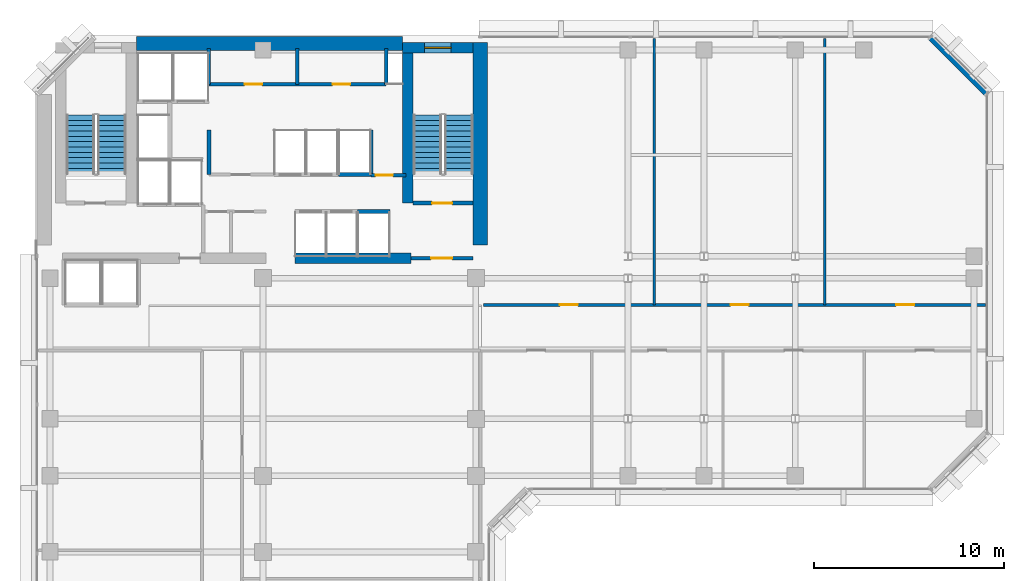
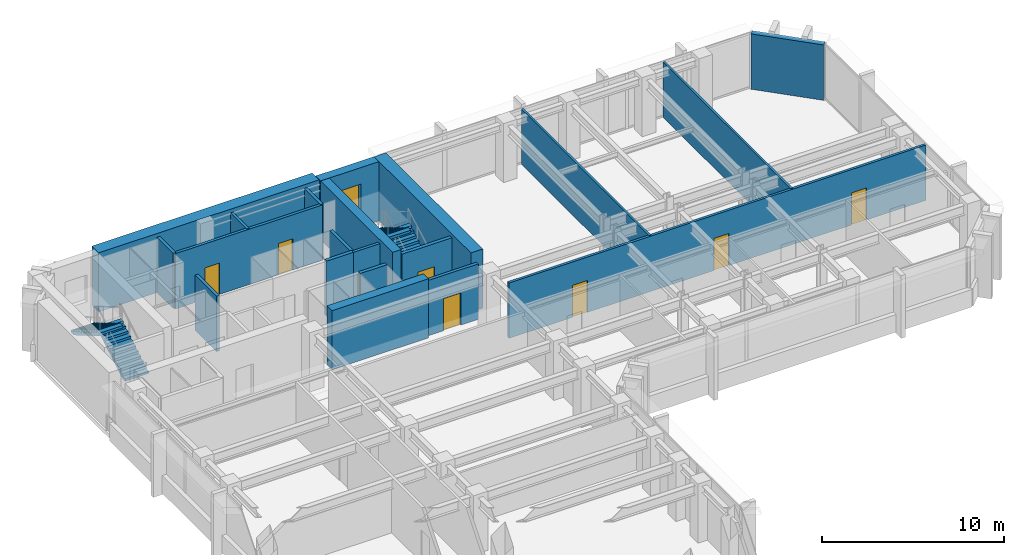
# One storey, part 8 of 11: 20 walls, 8 doors, 4 stair flights, 1 window, 9 openings, 2 elements without a shape of their own.
"""IFC4 building model written with IfcOpenShell, lengths in metres."""

import ifcopenshell
import ifcopenshell.guid

model = None  # the IFC model being written
_history = None  # IfcOwnerHistory: only IFC2X3 demands one
_inside = {}  # id of a spatial element -> (the spatial element, [elements in it])
_under = {}  # id of a project, library or spatial element -> (it, [spatial elements below it])
_declared = {}  # id of a project -> (the project, [libraries it declares])
_typed = {}  # id of a type object -> (the type object, [elements of that type])
_made_of = {}  # id of a material, layer set ... -> (it, [elements and type objects made of it])


def new_model(schema):
    """Start an empty IFC model of exactly this schema.

    Asked for "IFC4X3", IfcOpenShell would pick the latest addendum, in which some entities
    have other attributes; the version numbers below select the first issue.
    IFC2X3 requires an IfcOwnerHistory on every rooted entity: one is made here for all.
    """
    global model, _history
    if schema == "IFC4X3":
        model = ifcopenshell.file(schema_version=(4, 3, 0, 0))
    else:
        model = ifcopenshell.file(schema=schema)
    _inside.clear()
    _under.clear()
    _declared.clear()
    _typed.clear()
    _made_of.clear()
    _history = None
    if model.schema == "IFC2X3":
        org = make("IfcOrganization", Name="unknown")
        user = make(
            "IfcPersonAndOrganization",
            ThePerson=make("IfcPerson", FamilyName="unknown"),
            TheOrganization=org,
        )
        app = make(
            "IfcApplication",
            ApplicationDeveloper=org,
            Version="unknown",
            ApplicationFullName="unknown",
            ApplicationIdentifier="unknown",
        )
        _history = make(
            "IfcOwnerHistory",
            OwningUser=user,
            OwningApplication=app,
            ChangeAction="ADDED",
            CreationDate=0,
        )
    return model


def make(cls, **values):
    """One entity of the class cls with the attributes given. An attribute that is None is left unset."""
    return model.create_entity(
        cls, **{name: value for name, value in values.items() if value is not None}
    )


def rooted(cls, **values):
    """An entity with a GlobalId (a new one), such as an element, a storey or a relation."""
    return make(cls, GlobalId=ifcopenshell.guid.new(), OwnerHistory=_history, **values)


def si_unit(unit_type, name, prefix=None):
    """IfcSIUnit, for example si_unit("LENGTHUNIT", "METRE", prefix="MILLI")."""
    return make("IfcSIUnit", UnitType=unit_type, Prefix=prefix, Name=name)


def assignment(units):
    """IfcUnitAssignment: the units of a project."""
    return None if units is None else make("IfcUnitAssignment", Units=units)


def point(xyz):
    """IfcCartesianPoint."""
    return None if xyz is None else make("IfcCartesianPoint", Coordinates=xyz)


def direction(xyz):
    """IfcDirection."""
    return None if xyz is None else make("IfcDirection", DirectionRatios=xyz)


def frame(location, z_axis=None, x_axis=None):
    """IfcAxis2Placement3D, a coordinate frame: its origin and axes. An axis left out is left unset."""
    return make(
        "IfcAxis2Placement3D",
        Location=point(location),
        Axis=direction(z_axis),
        RefDirection=direction(x_axis),
    )


def frame_2d(location, x_axis=None):
    """IfcAxis2Placement2D, a coordinate frame in the plane: its origin and x axis."""
    return make(
        "IfcAxis2Placement2D", Location=point(location), RefDirection=direction(x_axis)
    )


def origin():
    """The frame at (0, 0, 0) with its axes left unset."""
    return frame((0.0, 0.0, 0.0))


def place(relative_to, where):
    """IfcLocalPlacement: puts the frame where relative to a parent placement (None: the world)."""
    return make(
        "IfcLocalPlacement", PlacementRelTo=relative_to, RelativePlacement=where
    )


def context(
    kind, dimensions, precision=None, world=None, true_north=None, identifier=None
):
    """IfcGeometricRepresentationContext, for example the 3D "Model" context."""
    return make(
        "IfcGeometricRepresentationContext",
        ContextIdentifier=identifier,
        ContextType=kind,
        CoordinateSpaceDimension=dimensions,
        Precision=precision,
        WorldCoordinateSystem=world,
        TrueNorth=true_north,
    )


def subcontext(parent, identifier, kind, view, scale=None):
    """IfcGeometricRepresentationSubContext, for example "Body" below "Model"."""
    return make(
        "IfcGeometricRepresentationSubContext",
        ContextIdentifier=identifier,
        ContextType=kind,
        ParentContext=parent,
        TargetScale=scale,
        TargetView=view,
    )


def project(units=None, contexts=None):
    """IfcProject with its units and contexts."""
    return rooted(
        "IfcProject",
        Name="project",
        RepresentationContexts=contexts,
        UnitsInContext=assignment(units),
    )


def spatial(cls, under=None, at=None, **own):
    """A site, building, storey or space (cls), placed at a placement, below another one or the project."""
    s = rooted(cls, ObjectPlacement=at, **own)
    if under is not None:
        _under.setdefault(under.id(), (under, []))[1].append(s)
    return s


def polyline(points):
    """IfcPolyline through the points."""
    return make("IfcPolyline", Points=[point(p) for p in points])


def profile(cls, at=None, kind="AREA", **sizes):
    """A parametric profile (cls). Its sizes go by their IFC names, for example OverallWidth=200.0."""
    return make(cls, ProfileType=kind, Position=at, **sizes)


def rectangle(**sizes):
    """IfcRectangleProfileDef."""
    return profile("IfcRectangleProfileDef", **sizes)


def outline(outer, holes=None, kind="AREA"):
    """IfcArbitraryClosedProfileDef: a profile drawn as a closed curve; with holes, ...WithVoids."""
    if holes is None:
        return make("IfcArbitraryClosedProfileDef", ProfileType=kind, OuterCurve=outer)
    return make(
        "IfcArbitraryProfileDefWithVoids",
        ProfileType=kind,
        OuterCurve=outer,
        InnerCurves=holes,
    )


def extrude(swept, where, along, depth):
    """IfcExtrudedAreaSolid: the profile swept, set in the frame where, extruded along a direction by depth."""
    return make(
        "IfcExtrudedAreaSolid",
        SweptArea=swept,
        Position=where,
        ExtrudedDirection=direction(along),
        Depth=depth,
    )


def shape(context_of_items, identifier, shape_type, items):
    """IfcShapeRepresentation: the items that make up one representation, for example the "Body"."""
    return make(
        "IfcShapeRepresentation",
        ContextOfItems=context_of_items,
        RepresentationIdentifier=identifier,
        RepresentationType=shape_type,
        Items=items,
    )


def material(Name=None, Category=None):
    """IfcMaterial."""
    return make("IfcMaterial", Name=Name, Category=Category)


def layer(
    of_material, thickness, ventilated=None, Name=None, Category=None, Priority=None
):
    """IfcMaterialLayer: one layer of a wall or slab, of a material (None: an air gap)."""
    return make(
        "IfcMaterialLayer",
        Material=of_material,
        LayerThickness=thickness,
        IsVentilated=ventilated,
        Name=Name,
        Category=Category,
        Priority=Priority,
    )


def layer_set(layers, Name=None):
    """IfcMaterialLayerSet."""
    return make("IfcMaterialLayerSet", MaterialLayers=layers, LayerSetName=Name)


def made_of(thing, what):
    """Note that an element or type object is made of a material, layer set ...; save() writes the relation."""
    if what is not None:
        _made_of.setdefault(what.id(), (what, []))[1].append(thing)
    return thing


def type_object(cls, material=None, **own):
    """A type object (cls), such as IfcWallType, which elements share."""
    return made_of(rooted(cls, **own), material)


def element(
    cls,
    number,
    at=None,
    inside=None,
    cuts=None,
    type_object=None,
    material=None,
    context=None,
    identifier="Body",
    shape_type=None,
    held_by="IfcProductDefinitionShape",
    body=None,
    shapes=None,
    **own,
):
    """One element of the class cls, such as IfcWall. Its Tag is "e" and its number.

    at: its placement. inside: the storey or other place that contains it. cuts: it is an
    opening in that element (IfcRelVoidsElement). A single representation is given by context,
    identifier, shape_type and body (its items); several are given by shapes. held_by: the class
    of the entity that holds the representations. save() writes the other relations.
    """
    e = rooted(cls, Tag="e%d" % number, ObjectPlacement=at, **own)
    if body is not None:
        shapes = [shape(context, identifier, shape_type, body)]
    if shapes is not None:
        e.Representation = make(held_by, Representations=shapes)
    if inside is not None:
        _inside.setdefault(inside.id(), (inside, []))[1].append(e)
    if cuts is not None:
        rooted(
            "IfcRelVoidsElement", RelatingBuildingElement=cuts, RelatedOpeningElement=e
        )
    if type_object is not None:
        _typed.setdefault(type_object.id(), (type_object, []))[1].append(e)
    return made_of(e, material)


def fill(opening, filler):
    """IfcRelFillsElement: the door or window that sits in an opening."""
    return rooted(
        "IfcRelFillsElement",
        RelatingOpeningElement=opening,
        RelatedBuildingElement=filler,
    )


def aggregate(whole, parts):
    """IfcRelAggregates: a whole, such as a stair, and the parts it consists of."""
    return rooted("IfcRelAggregates", RelatingObject=whole, RelatedObjects=parts)


def save(model, path):
    """Write the relations noted so far, then the file.

    IfcRelAggregates (storeys below a building ...), IfcRelContainedInSpatialStructure (elements
    in a storey), IfcRelDefinesByType, IfcRelAssociatesMaterial and IfcRelDeclares: one each for
    every whole, place, type object, material and project.
    """
    for whole, parts in _under.values():
        aggregate(whole, parts)
    for where, things in _inside.values():
        rooted(
            "IfcRelContainedInSpatialStructure",
            RelatedElements=things,
            RelatingStructure=where,
        )
    for kind, things in _typed.values():
        rooted("IfcRelDefinesByType", RelatedObjects=things, RelatingType=kind)
    for what, things in _made_of.values():
        rooted("IfcRelAssociatesMaterial", RelatedObjects=things, RelatingMaterial=what)
    for by, libraries in _declared.values():
        rooted("IfcRelDeclares", RelatingContext=by, RelatedDefinitions=libraries)
    model.write(path)


model = new_model("IFC4")

# Units and contexts
model_context = context("Model", 3, precision=1e-05, world=origin(), true_north=direction((0.0, 1.0)))
body_context = subcontext(model_context, "Body", "Model", "MODEL_VIEW")
ifc_project = project(units=[si_unit("LENGTHUNIT", "METRE"), si_unit("AREAUNIT", "SQUARE_METRE"), si_unit("VOLUMEUNIT", "CUBIC_METRE"), si_unit("PLANEANGLEUNIT", "RADIAN"), si_unit("MASSUNIT", "GRAM", prefix="KILO")], contexts=[model_context])

# Site, building, storey
site_placement = place(None, origin())
site = spatial("IfcSite", under=ifc_project, at=site_placement, CompositionType="ELEMENT")
building_placement = place(site_placement, origin())
building = spatial("IfcBuilding", under=site, at=building_placement, Name="Kefirva Bronze Tower", CompositionType="ELEMENT")
storey_placement = place(building_placement, frame((0.0, 0.0, 154.77001953125)))
storey = spatial("IfcBuildingStorey", under=building, at=storey_placement, Name="L37", CompositionType="ELEMENT", Elevation=154.77001953125)

# Walls
ifc_material_1 = material(Name="Gypsum acoustic partition")
ifc_layer_1 = layer(ifc_material_1, 0.1298828125, Name="Gypsum acoustic partition")
ifc_layer_set_1 = layer_set([ifc_layer_1], Name="Gypsum acoustic partition")
wall_type_1 = type_object("IfcWallType", Name="Acoustic Office Partition 130mm", PredefinedType="PARTITIONING", material=ifc_layer_set_1)
for number, where, z_axis, x_axis, name in (
    (1, (32.579345703125, 31.800048828125, 0.0), (0.0, 0.0, 1.0), (0.0, 1.0, 0.0), "L37 Partition W-L37-END1"),
    (2, (41.558837890625, 31.800048828125, 0.0), (0.0, 0.0, 1.0), (0.0, 1.0, 0.0), "L37 Partition W-L37-END2"),
):
    element("IfcWall", number, at=place(storey_placement, frame(where, z_axis=z_axis, x_axis=x_axis)), inside=storey, type_object=wall_type_1, Name=name, PredefinedType="PARTITIONING", context=body_context, shape_type="SweptSolid", body=[
        extrude(rectangle(XDim=14.010009765625, YDim=0.1298828125, at=frame_2d((7.0048828125, 0.0))), origin(), (0.0, 0.0, 1.0), 3.7099609375),
    ])

# Wall, opening, door
ifc_material_2 = material(Name="Gypsum fireboard shaftwall")
ifc_layer_2 = layer(ifc_material_2, 0.219970703125, Name="Gypsum fireboard shaftwall")
ifc_layer_set_2 = layer_set([ifc_layer_2], Name="Gypsum fireboard shaftwall")
wall_type_2 = type_object("IfcWallType", Name="Fire-Rated Shaft Enclosure Wall 220mm", PredefinedType="PARTITIONING", material=ifc_layer_set_2)
wall_1_placement = place(storey_placement, frame((19.89990234375, 37.14990234375, 0.0), z_axis=(0.0, 0.0, 1.0), x_axis=(1.0, 0.0, 0.0)))
wall_1 = element("IfcWall", 3, at=wall_1_placement, inside=storey, type_object=wall_type_2, Name="L37 Partition W-L37-ST2S", PredefinedType="PARTITIONING", context=body_context, shape_type="SweptSolid", body=[
    extrude(rectangle(XDim=3.150146484375, YDim=0.219970703125, at=frame_2d((1.5751953125, 0.0))), origin(), (0.0, 0.0, 1.0), 3.7099609375),
])
opening_1_placement = place(wall_1_placement, frame((2.050048828125, 0.0, 0.0), z_axis=(0.0, 0.0, 1.0), x_axis=(-1.0, 0.0, 0.0)))
opening_1 = element("IfcOpeningElement", 4, at=opening_1_placement, cuts=wall_1, Name="Opening L37-D003", PredefinedType="OPENING", context=body_context, shape_type="SweptSolid", body=[
    extrude(rectangle(XDim=1.050048828125, YDim=2.14990234375, at=frame_2d((0.52490234375, 1.074951171875))), frame((0.0, 0.1201171875, 0.0), z_axis=(0.0, -1.0, 0.0), x_axis=(1.0, 0.0, 0.0)), (0.0, 0.0, 1.0), 0.239990234375),
])
ifc_material_3 = material(Name="Painted galvanized steel", Category="steel")
door_type_1 = type_object("IfcDoorType", Name="Fire Stair Enclosure Door 1050x2150 FD90S", OperationType="NOTDEFINED", PredefinedType="DOOR", material=ifc_material_3)
door_1_placement = place(opening_1_placement, origin())
door_1 = element("IfcDoor", 5, at=door_1_placement, inside=storey, type_object=door_type_1, Name="Door L37-D003", OperationType="SINGLE_SWING_LEFT", OverallHeight=2.14990234375, OverallWidth=1.050048828125, PredefinedType="DOOR", context=body_context, shape_type="SweptSolid", body=[
    extrude(rectangle(XDim=1.050048828125, YDim=2.14990234375, at=frame_2d((0.52490234375, 1.074951171875))), frame((0.0, 0.02490234375, 0.0), z_axis=(0.0, -1.0, 0.0), x_axis=(1.0, 0.0, 0.0)), (0.0, 0.0, 1.0), 0.050048828125),
])
fill(opening_1, door_1)

# Walls
for number, where, z_axis, x_axis, name in (
    (6, (9.159912109375, 38.64990234375, 0.0), (0.0, 0.0, 1.0), (0.0, 1.0, 0.0), "L37 Partition W-L37-LP3W"),
    (7, (17.679931640625, 38.64990234375, 0.0), (0.0, 0.0, 1.0), (0.0, 1.0, 0.0), "L37 Partition W-L37-HP2E"),
):
    element("IfcWall", number, at=place(storey_placement, frame(where, z_axis=z_axis, x_axis=x_axis)), inside=storey, type_object=wall_type_2, Name=name, PredefinedType="PARTITIONING", context=body_context, shape_type="SweptSolid", body=[
        extrude(rectangle(XDim=2.35009765625, YDim=0.199951171875, at=frame_2d((1.175048828125, 0.0))), origin(), (0.0, 0.0, 1.0), 3.7099609375),
    ])
wall_2_placement = place(storey_placement, frame((16.97998046875, 36.699951171875, 0.0), z_axis=(0.0, 0.0, 1.0), x_axis=(1.0, 0.0, 0.0)))
element("IfcWall", 8, at=wall_2_placement, inside=storey, type_object=wall_type_2, Name="L37 Partition W-L37-HPS", PredefinedType="PARTITIONING", context=body_context, shape_type="SweptSolid", body=[
    extrude(rectangle(XDim=1.699951171875, YDim=0.219970703125, at=frame_2d((0.85009765625, 0.0))), origin(), (0.0, 0.0, 1.0), 3.7099609375),
])
wall_3_placement = place(storey_placement, frame((15.97998046875, 38.64990234375, 0.0), z_axis=(0.0, 0.0, 1.0), x_axis=(1.0, 0.0, 0.0)))
element("IfcWall", 9, at=wall_3_placement, inside=storey, type_object=wall_type_2, Name="L37 Partition W-L37-HPN", PredefinedType="PARTITIONING", context=body_context, shape_type="SweptSolid", body=[
    extrude(rectangle(XDim=1.719970703125, YDim=0.219970703125, at=frame_2d((0.85986328125, 0.0))), origin(), (0.0, 0.0, 1.0), 3.7099609375),
])

# Wall, opening, door
ifc_material_4 = material(Name="Gypsum fireboard barrier")
ifc_layer_3 = layer(ifc_material_4, 0.199951171875, Name="Gypsum fireboard barrier")
ifc_layer_set_3 = layer_set([ifc_layer_3], Name="Gypsum fireboard barrier")
wall_type_3 = type_object("IfcWallType", Name="Firefighting Lobby Barrier Wall 200mm", PredefinedType="PARTITIONING", material=ifc_layer_set_3)
wall_4_placement = place(storey_placement, frame((19.800048828125, 34.25, 0.0), z_axis=(0.0, 0.0, 1.0), x_axis=(1.0, 0.0, 0.0)))
wall_4 = element("IfcWall", 10, at=wall_4_placement, inside=storey, type_object=wall_type_3, Name="L37 Partition W-L37-ST2F", PredefinedType="PARTITIONING", context=body_context, shape_type="SweptSolid", body=[
    extrude(rectangle(XDim=3.25, YDim=0.199951171875, at=frame_2d((1.625, 0.0))), origin(), (0.0, 0.0, 1.0), 3.7099609375),
])
opening_2_placement = place(wall_4_placement, frame((2.150146484375, 0.0, 0.0), z_axis=(0.0, 0.0, 1.0), x_axis=(-1.0, 0.0, 0.0)))
opening_2 = element("IfcOpeningElement", 11, at=opening_2_placement, cuts=wall_4, Name="Opening L37-D004", PredefinedType="OPENING", context=body_context, shape_type="SweptSolid", body=[
    extrude(rectangle(XDim=1.10009765625, YDim=2.14990234375, at=frame_2d((0.550048828125, 1.074951171875))), frame((0.0, 0.10986328125, 0.0), z_axis=(0.0, -1.0, 0.0), x_axis=(1.0, 0.0, 0.0)), (0.0, 0.0, 1.0), 0.219970703125),
])
door_type_2 = type_object("IfcDoorType", Name="Firefighting Lobby Smoke Door 1100x2150 FD60S", OperationType="NOTDEFINED", PredefinedType="DOOR", material=ifc_material_3)
door_2_placement = place(opening_2_placement, origin())
door_2 = element("IfcDoor", 12, at=door_2_placement, inside=storey, type_object=door_type_2, Name="Door L37-D004", OperationType="SINGLE_SWING_RIGHT", OverallHeight=2.14990234375, OverallWidth=1.10009765625, PredefinedType="DOOR", context=body_context, shape_type="SweptSolid", body=[
    extrude(rectangle(XDim=1.10009765625, YDim=2.14990234375, at=frame_2d((0.550048828125, 1.074951171875))), frame((0.0, 0.02490234375, 0.0), z_axis=(0.0, -1.0, 0.0), x_axis=(1.0, 0.0, 0.0)), (0.0, 0.0, 1.0), 0.050048828125),
])
fill(opening_2, door_2)

wall_5_placement = place(storey_placement, frame((17.679931640625, 38.6201171875, 0.0), z_axis=(0.0, 0.0, 1.0), x_axis=(1.0, 0.0, 0.0)))
wall_5 = element("IfcWall", 13, at=wall_5_placement, inside=storey, type_object=wall_type_3, Name="L37 Partition W-L37-CPASS", PredefinedType="PARTITIONING", context=body_context, shape_type="SweptSolid", body=[
    extrude(rectangle(XDim=1.840087890625, YDim=0.179931640625, at=frame_2d((0.919921875, 0.0))), origin(), (0.0, 0.0, 1.0), 3.7099609375),
])
opening_3_placement = place(wall_5_placement, frame((0.239990234375, 0.0, 0.0)))
opening_3 = element("IfcOpeningElement", 14, at=opening_3_placement, cuts=wall_5, Name="Opening L37-D-CPAS", PredefinedType="OPENING", context=body_context, shape_type="SweptSolid", body=[
    extrude(rectangle(XDim=0.919921875, YDim=2.10009765625, at=frame_2d((0.4599609375, 1.050048828125))), frame((0.0, 0.10009765625, 0.0), z_axis=(0.0, -1.0, 0.0), x_axis=(1.0, 0.0, 0.0)), (0.0, 0.0, 1.0), 0.199951171875),
])
ifc_material_5 = material(Name="Moisture-resistant timber", Category="wood")
door_type_3 = type_object("IfcDoorType", Name="Accessible Sanitary & WC Door 920x2100", OperationType="NOTDEFINED", PredefinedType="DOOR", material=ifc_material_5)
door_3_placement = place(opening_3_placement, origin())
door_3 = element("IfcDoor", 15, at=door_3_placement, inside=storey, type_object=door_type_3, Name="Door L37-D-CPAS", OperationType="SINGLE_SWING_LEFT", OverallHeight=2.10009765625, OverallWidth=0.919921875, PredefinedType="DOOR", context=body_context, shape_type="SweptSolid", body=[
    extrude(rectangle(XDim=0.919921875, YDim=2.10009765625, at=frame_2d((0.4599609375, 1.050048828125))), frame((0.0, 0.02490234375, 0.0), z_axis=(0.0, -1.0, 0.0), x_axis=(1.0, 0.0, 0.0)), (0.0, 0.0, 1.0), 0.050048828125),
])
fill(opening_3, door_3)

# Wall
ifc_material_6 = material(Name="Precast concrete C40/50", Category="concrete")
ifc_layer_4 = layer(ifc_material_6, 0.320068359375, Name="Precast concrete C40/50")
ifc_layer_set_4 = layer_set([ifc_layer_4], Name="Precast concrete C40/50")
wall_type_4 = type_object("IfcWallType", Name="Precast Insulated Exterior Wall 320mm", PredefinedType="SOLIDWALL", material=ifc_layer_set_4)
wall_6_placement = place(storey_placement, frame((50.048095703125, 42.92578125, 0.0), z_axis=(0.0, 0.0, 1.0), x_axis=(-0.707136318428, 0.707077242712, 0.0)))
element("IfcWall", 16, at=wall_6_placement, inside=storey, type_object=wall_type_4, Name="L37 Exterior Facade Wall 4", PredefinedType="SOLIDWALL", context=body_context, shape_type="SweptSolid", body=[
    extrude(rectangle(XDim=4.132568359375, YDim=0.320068359375, at=frame_2d((2.06640625, 0.0))), origin(), (0.0, 0.0, 1.0), 3.7099609375),
])

# Wall, openings, doors
ifc_layer_5 = layer(ifc_material_1, 0.159912109375, Name="Gypsum acoustic partition")
ifc_layer_set_5 = layer_set([ifc_layer_5], Name="Gypsum acoustic partition")
wall_type_5 = type_object("IfcWallType", Name="Protected Corridor Partition 160mm", PredefinedType="PARTITIONING", material=ifc_layer_set_5)
wall_7_placement = place(storey_placement, frame((23.60009765625, 31.800048828125, 0.0), z_axis=(0.0, 0.0, 1.0), x_axis=(1.0, 0.0, 0.0)))
wall_7 = element("IfcWall", 17, at=wall_7_placement, inside=storey, type_object=wall_type_5, Name="L37 Partition W-L37-EWN", PredefinedType="PARTITIONING", context=body_context, shape_type="SweptSolid", body=[
    extrude(rectangle(XDim=26.409912109375, YDim=0.159912109375, at=frame_2d((13.205078125, 0.0))), origin(), (0.0, 0.0, 1.0), 3.7099609375),
])
opening_4_placement = place(wall_7_placement, frame((4.0146484375, 0.0, 0.0)))
opening_4 = element("IfcOpeningElement", 18, at=opening_4_placement, cuts=wall_7, Name="Opening L37-D-EN1", PredefinedType="OPENING", context=body_context, shape_type="SweptSolid", body=[
    extrude(rectangle(XDim=0.949951171875, YDim=2.14990234375, at=frame_2d((0.47509765625, 1.074951171875))), frame((0.0, 0.08984375, 0.0), z_axis=(0.0, -1.0, 0.0), x_axis=(1.0, 0.0, 0.0)), (0.0, 0.0, 1.0), 0.179931640625),
])
opening_5_placement = place(wall_7_placement, frame((12.994140625, 0.0, 0.0)))
opening_5 = element("IfcOpeningElement", 19, at=opening_5_placement, cuts=wall_7, Name="Opening L37-D-EN2", PredefinedType="OPENING", context=body_context, shape_type="SweptSolid", body=[
    extrude(rectangle(XDim=0.949951171875, YDim=2.14990234375, at=frame_2d((0.47509765625, 1.074951171875))), frame((0.0, 0.08984375, 0.0), z_axis=(0.0, -1.0, 0.0), x_axis=(1.0, 0.0, 0.0)), (0.0, 0.0, 1.0), 0.179931640625),
])
opening_6_placement = place(wall_7_placement, frame((21.70947265625, 0.0, 0.0)))
opening_6 = element("IfcOpeningElement", 20, at=opening_6_placement, cuts=wall_7, Name="Opening L37-D-EN3", PredefinedType="OPENING", context=body_context, shape_type="SweptSolid", body=[
    extrude(rectangle(XDim=0.949951171875, YDim=2.14990234375, at=frame_2d((0.47509765625, 1.074951171875))), frame((0.0, 0.08984375, 0.0), z_axis=(0.0, -1.0, 0.0), x_axis=(1.0, 0.0, 0.0)), (0.0, 0.0, 1.0), 0.179931640625),
])
ifc_material_7 = material(Name="Acoustic hardwood oak", Category="wood")
door_type_4 = type_object("IfcDoorType", Name="Office & Meeting Room Door 950x2150", OperationType="NOTDEFINED", PredefinedType="DOOR", material=ifc_material_7)
door_4_placement = place(opening_4_placement, origin())
door_4 = element("IfcDoor", 21, at=door_4_placement, inside=storey, type_object=door_type_4, Name="Door L37-D-EN1", OperationType="SINGLE_SWING_LEFT", OverallHeight=2.14990234375, OverallWidth=0.949951171875, PredefinedType="DOOR", context=body_context, shape_type="SweptSolid", body=[
    extrude(rectangle(XDim=0.949951171875, YDim=2.14990234375, at=frame_2d((0.47509765625, 1.074951171875))), frame((0.0, 0.02490234375, 0.0), z_axis=(0.0, -1.0, 0.0), x_axis=(1.0, 0.0, 0.0)), (0.0, 0.0, 1.0), 0.050048828125),
])
fill(opening_4, door_4)
door_5_placement = place(opening_5_placement, origin())
door_5 = element("IfcDoor", 22, at=door_5_placement, inside=storey, type_object=door_type_4, Name="Door L37-D-EN2", OperationType="SINGLE_SWING_RIGHT", OverallHeight=2.14990234375, OverallWidth=0.949951171875, PredefinedType="DOOR", context=body_context, shape_type="SweptSolid", body=[
    extrude(rectangle(XDim=0.949951171875, YDim=2.14990234375, at=frame_2d((0.47509765625, 1.074951171875))), frame((0.0, 0.02490234375, 0.0), z_axis=(0.0, -1.0, 0.0), x_axis=(1.0, 0.0, 0.0)), (0.0, 0.0, 1.0), 0.050048828125),
])
fill(opening_5, door_5)
door_6_placement = place(opening_6_placement, origin())
door_6 = element("IfcDoor", 23, at=door_6_placement, inside=storey, type_object=door_type_4, Name="Door L37-D-EN3", OperationType="SINGLE_SWING_LEFT", OverallHeight=2.14990234375, OverallWidth=0.949951171875, PredefinedType="DOOR", context=body_context, shape_type="SweptSolid", body=[
    extrude(rectangle(XDim=0.949951171875, YDim=2.14990234375, at=frame_2d((0.47509765625, 1.074951171875))), frame((0.0, 0.02490234375, 0.0), z_axis=(0.0, -1.0, 0.0), x_axis=(1.0, 0.0, 0.0)), (0.0, 0.0, 1.0), 0.050048828125),
])
fill(opening_6, door_6)

# Wall, opening, window
ifc_material_8 = material(Name="Concrete C50/60", Category="concrete")
ifc_layer_6 = layer(ifc_material_8, 0.550048828125, Name="Concrete C50/60")
ifc_layer_set_6 = layer_set([ifc_layer_6], Name="Concrete C50/60")
wall_type_6 = type_object("IfcWallType", Name="RC Rear Core Exterior Wall 550mm", PredefinedType="SHEAR", material=ifc_layer_set_6)
wall_8_placement = place(storey_placement, frame((19.35009765625, 45.320068359375, 0.0), z_axis=(0.0, 0.0, 1.0), x_axis=(1.0, 0.0, 0.0)))
wall_8 = element("IfcWall", 24, at=wall_8_placement, inside=storey, type_object=wall_type_6, Name="L37 Stair 2 North Shear Wall", PredefinedType="SHEAR", context=body_context, shape_type="SweptSolid", body=[
    extrude(rectangle(XDim=3.68994140625, YDim=0.550048828125, at=frame_2d((1.844970703125, 0.0))), origin(), (0.0, 0.0, 1.0), 3.9599609375),
])
opening_7_placement = place(wall_8_placement, frame((1.14990234375, 0.0, 1.050048828125)))
opening_7 = element("IfcOpeningElement", 25, at=opening_7_placement, cuts=wall_8, Name="Opening WN-03", PredefinedType="OPENING", context=body_context, shape_type="SweptSolid", body=[
    extrude(rectangle(XDim=1.39990234375, YDim=1.800048828125, at=frame_2d((0.699951171875, 0.89990234375))), frame((0.0, 0.28515625, 0.0), z_axis=(0.0, -1.0, 0.0), x_axis=(1.0, 0.0, 0.0)), (0.0, 0.0, 1.0), 0.570068359375),
])
ifc_material_9 = material(Name="Laminated low-E double glazing", Category="glass")
window_type = type_object("IfcWindowType", Name="Rear-Core Stair Daylight Window 1400x1800", PartitioningType="SINGLE_PANEL", PredefinedType="WINDOW", material=ifc_material_9)
window_placement = place(opening_7_placement, origin())
window = element("IfcWindow", 26, at=window_placement, inside=storey, type_object=window_type, Name="L37 Stair 2 Daylight Window", OverallHeight=1.800048828125, OverallWidth=1.39990234375, PartitioningType="SINGLE_PANEL", PredefinedType="WINDOW", context=body_context, shape_type="SweptSolid", body=[
    extrude(rectangle(XDim=1.39990234375, YDim=1.800048828125, at=frame_2d((0.699951171875, 0.89990234375))), frame((0.0, 0.030029296875, 0.0), z_axis=(0.0, -1.0, 0.0), x_axis=(1.0, 0.0, 0.0)), (0.0, 0.0, 1.0), 0.06005859375),
])
fill(opening_7, window)

# Walls
ifc_material_10 = material(Name="Concrete C60/75", Category="concrete")
ifc_layer_7 = layer(ifc_material_10, 0.75, Name="Concrete C60/75")
ifc_layer_set_7 = layer_set([ifc_layer_7], Name="Concrete C60/75")
wall_type_7 = type_object("IfcWallType", Name="RC Rear Core Exterior Wall 750mm", PredefinedType="SHEAR", material=ifc_layer_set_7)
wall_9_placement = place(storey_placement, frame((5.360107421875, 45.550048828125, 0.0), z_axis=(0.0, 0.0, 1.0), x_axis=(1.0, 0.0, 0.0)))
element("IfcWall", 27, at=wall_9_placement, inside=storey, type_object=wall_type_7, Name="L37 Rear Core North Shear Wall", PredefinedType="SHEAR", context=body_context, shape_type="SweptSolid", body=[
    extrude(rectangle(XDim=13.97998046875, YDim=0.75, at=frame_2d((6.989990234375, 0.0))), origin(), (0.0, 0.0, 1.0), 3.9599609375),
])
ifc_layer_8 = layer(ifc_material_8, 0.550048828125, Name="Concrete C50/60")
ifc_layer_set_8 = layer_set([ifc_layer_8], Name="Concrete C50/60")
wall_type_8 = type_object("IfcWallType", Name="RC Rear Core Interior Wall 550mm", PredefinedType="SHEAR", material=ifc_layer_set_8)
wall_10_placement = place(storey_placement, frame((19.6201171875, 37.14990234375, 0.0), z_axis=(0.0, 0.0, 1.0), x_axis=(0.0, 1.0, 0.0)))
element("IfcWall", 28, at=wall_10_placement, inside=storey, type_object=wall_type_8, Name="L37 Stair 2 West Shear Wall", PredefinedType="SHEAR", context=body_context, shape_type="SweptSolid", body=[
    extrude(rectangle(XDim=7.89013671875, YDim=0.550048828125, at=frame_2d((3.945068359375, 0.0))), origin(), (0.0, 0.0, 1.0), 3.9599609375),
])
ifc_layer_9 = layer(ifc_material_10, 0.75, Name="Concrete C60/75")
ifc_layer_set_9 = layer_set([ifc_layer_9], Name="Concrete C60/75")
wall_type_9 = type_object("IfcWallType", Name="RC Rear Core Interior Wall 750mm", PredefinedType="SHEAR", material=ifc_layer_set_9)
wall_11_placement = place(storey_placement, frame((23.425048828125, 34.949951171875, 0.0), z_axis=(0.0, 0.0, 1.0), x_axis=(0.0, 1.0, 0.0)))
element("IfcWall", 29, at=wall_11_placement, inside=storey, type_object=wall_type_9, Name="L37 Rear Core East Shear Wall", PredefinedType="SHEAR", context=body_context, shape_type="SweptSolid", body=[
    extrude(rectangle(XDim=10.64013671875, YDim=0.75, at=frame_2d((5.320068359375, 0.0))), origin(), (0.0, 0.0, 1.0), 3.9599609375),
])
wall_12_placement = place(storey_placement, frame((13.679931640625, 34.25, 0.0), z_axis=(0.0, 0.0, 1.0), x_axis=(1.0, 0.0, 0.0)))
element("IfcWall", 30, at=wall_12_placement, inside=storey, type_object=wall_type_9, Name="L37 Rear Core South-East Shear Wall", PredefinedType="SHEAR", context=body_context, shape_type="SweptSolid", body=[
    extrude(rectangle(XDim=6.1201171875, YDim=0.550048828125, at=frame_2d((3.06005859375, 0.0))), origin(), (0.0, 0.0, 1.0), 3.9599609375),
])

# Wall, openings, doors
ifc_material_11 = material(Name="Moisture-resistant partition")
ifc_layer_10 = layer(ifc_material_11, 0.179931640625, Name="Moisture-resistant partition")
ifc_layer_set_10 = layer_set([ifc_layer_10], Name="Moisture-resistant partition")
wall_type_10 = type_object("IfcWallType", Name="Sanitary Plumbing Chase Wall 180mm", PredefinedType="PLUMBINGWALL", material=ifc_layer_set_10)
wall_13_placement = place(storey_placement, frame((9.14990234375, 43.39990234375, 0.0), z_axis=(0.0, 0.0, 1.0), x_axis=(1.0, 0.0, 0.0)))
wall_13 = element("IfcWall", 31, at=wall_13_placement, inside=storey, type_object=wall_type_10, Name="L37 Partition W-L37-SVCS", PredefinedType="PLUMBINGWALL", context=body_context, shape_type="SweptSolid", body=[
    extrude(rectangle(XDim=9.330078125, YDim=0.179931640625, at=frame_2d((4.6650390625, 0.0))), origin(), (0.0, 0.0, 1.0), 3.7099609375),
])
opening_8_placement = place(wall_13_placement, frame((1.8798828125, 0.0, 0.0)))
opening_8 = element("IfcOpeningElement", 32, at=opening_8_placement, cuts=wall_13, Name="Opening L37-D-CSVC1", PredefinedType="OPENING", context=body_context, shape_type="SweptSolid", body=[
    extrude(rectangle(XDim=0.919921875, YDim=2.10009765625, at=frame_2d((0.4599609375, 1.050048828125))), frame((0.0, 0.10009765625, 0.0), z_axis=(0.0, -1.0, 0.0), x_axis=(1.0, 0.0, 0.0)), (0.0, 0.0, 1.0), 0.199951171875),
])
opening_9_placement = place(wall_13_placement, frame((6.514892578125, 0.0, 0.0)))
opening_9 = element("IfcOpeningElement", 33, at=opening_9_placement, cuts=wall_13, Name="Opening L37-D-CSVC2", PredefinedType="OPENING", context=body_context, shape_type="SweptSolid", body=[
    extrude(rectangle(XDim=0.919921875, YDim=2.10009765625, at=frame_2d((0.4599609375, 1.050048828125))), frame((0.0, 0.10009765625, 0.0), z_axis=(0.0, -1.0, 0.0), x_axis=(1.0, 0.0, 0.0)), (0.0, 0.0, 1.0), 0.199951171875),
])
door_7_placement = place(opening_8_placement, origin())
door_7 = element("IfcDoor", 34, at=door_7_placement, inside=storey, type_object=door_type_3, Name="Door L37-D-CSVC1", OperationType="SINGLE_SWING_LEFT", OverallHeight=2.10009765625, OverallWidth=0.919921875, PredefinedType="DOOR", context=body_context, shape_type="SweptSolid", body=[
    extrude(rectangle(XDim=0.919921875, YDim=2.10009765625, at=frame_2d((0.4599609375, 1.050048828125))), frame((0.0, 0.02490234375, 0.0), z_axis=(0.0, -1.0, 0.0), x_axis=(1.0, 0.0, 0.0)), (0.0, 0.0, 1.0), 0.050048828125),
])
fill(opening_8, door_7)
door_8_placement = place(opening_9_placement, origin())
door_8 = element("IfcDoor", 35, at=door_8_placement, inside=storey, type_object=door_type_3, Name="Door L37-D-CSVC2", OperationType="SINGLE_SWING_RIGHT", OverallHeight=2.10009765625, OverallWidth=0.919921875, PredefinedType="DOOR", context=body_context, shape_type="SweptSolid", body=[
    extrude(rectangle(XDim=0.919921875, YDim=2.10009765625, at=frame_2d((0.4599609375, 1.050048828125))), frame((0.0, 0.02490234375, 0.0), z_axis=(0.0, -1.0, 0.0), x_axis=(1.0, 0.0, 0.0)), (0.0, 0.0, 1.0), 0.050048828125),
])
fill(opening_9, door_8)

# Walls
for number, where, z_axis, x_axis, name in (
    (36, (9.14990234375, 43.39990234375, 0.0), (0.0, 0.0, 1.0), (0.0, 1.0, 0.0), "L37 Partition W-L37-SVCW"),
    (37, (18.47998046875, 43.39990234375, 0.0), (0.0, 0.0, 1.0), (0.0, 1.0, 0.0), "L37 Partition W-L37-SVCE"),
    (38, (13.800048828125, 43.39990234375, 0.0), (0.0, 0.0, 1.0), (0.0, 1.0, 0.0), "L37 Partition W-L37-CSVD-1"),
):
    element("IfcWall", number, at=place(storey_placement, frame(where, z_axis=z_axis, x_axis=x_axis)), inside=storey, type_object=wall_type_10, Name=name, PredefinedType="PLUMBINGWALL", context=body_context, shape_type="SweptSolid", body=[
        extrude(rectangle(XDim=1.880126953125, YDim=0.179931640625, at=frame_2d((0.93994140625, 0.0))), origin(), (0.0, 0.0, 1.0), 3.7099609375),
    ])

# Stair, stair flights
ifc_material_12 = material(Name="Concrete C40/50", Category="concrete")
stair_type = type_object("IfcStairType", Name="RC Dogleg Protected Stair 24R", PredefinedType="HALF_TURN_STAIR", material=ifc_material_12)
stair_1_placement = place(storey_placement, origin())
stair_1 = element("IfcStair", 39, at=stair_1_placement, inside=storey, type_object=stair_type, Name="L37 Protected Exit Stair 1", PredefinedType="HALF_TURN_STAIR")
stair_flight_type = type_object("IfcStairFlightType", Name="RC Straight Stair Flight 24R", PredefinedType="STRAIGHT", material=ifc_material_12)
stair_flight_1_placement = place(storey_placement, frame((4.050048828125, 38.699951171875, 0.0), z_axis=(0.0, 0.0, 1.0), x_axis=(0.0, 1.0, 0.0)))
stair_flight_1 = element("IfcStairFlight", 40, at=stair_flight_1_placement, type_object=stair_flight_type, Name="ST-1 flight 1", NumberOfRisers=12, NumberOfTreads=11, PredefinedType="STRAIGHT", RiserHeight=0.165, TreadLength=0.28, context=body_context, shape_type="SweptSolid", body=[
    extrude(outline(polyline([(0.0, 0.0), (0.0, 0.1650390625), (0.280029296875, 0.1650390625), (0.280029296875, 0.330078125), (0.56005859375, 0.330078125), (0.56005859375, 0.4951171875), (0.840087890625, 0.4951171875), (0.840087890625, 0.659912109375), (1.1201171875, 0.659912109375), (1.1201171875, 0.824951171875), (1.39990234375, 0.824951171875), (1.39990234375, 0.989990234375), (1.679931640625, 0.989990234375), (1.679931640625, 1.155029296875), (1.9599609375, 1.155029296875), (1.9599609375, 1.320068359375), (2.239990234375, 1.320068359375), (2.239990234375, 1.485107421875), (2.52001953125, 1.485107421875), (2.52001953125, 1.64990234375), (2.800048828125, 1.64990234375), (2.800048828125, 1.81494140625), (3.080078125, 1.81494140625), (3.080078125, 1.97998046875), (3.080078125, 1.64111328125), (0.295166015625, 0.0), (0.0, 0.0)])), frame((0.0, 0.75, 0.0), z_axis=(0.0, -1.0, 0.0), x_axis=(1.0, 0.0, 0.0)), (0.0, 0.0, 1.0), 1.5),
])
stair_flight_2_placement = place(storey_placement, frame((2.39990234375, 41.780029296875, 1.97998046875), z_axis=(0.0, 0.0, 1.0), x_axis=(0.0, -1.0, 0.0)))
stair_flight_2 = element("IfcStairFlight", 41, at=stair_flight_2_placement, type_object=stair_flight_type, Name="ST-1 flight 2", NumberOfRisers=12, NumberOfTreads=11, PredefinedType="STRAIGHT", RiserHeight=0.165, TreadLength=0.28, context=body_context, shape_type="SweptSolid", body=[
    extrude(outline(polyline([(0.0, 0.0), (0.0, 0.1650390625), (0.280029296875, 0.1650390625), (0.280029296875, 0.330078125), (0.56005859375, 0.330078125), (0.56005859375, 0.4951171875), (0.840087890625, 0.4951171875), (0.840087890625, 0.659912109375), (1.1201171875, 0.659912109375), (1.1201171875, 0.824951171875), (1.39990234375, 0.824951171875), (1.39990234375, 0.989990234375), (1.679931640625, 0.989990234375), (1.679931640625, 1.155029296875), (1.9599609375, 1.155029296875), (1.9599609375, 1.320068359375), (2.239990234375, 1.320068359375), (2.239990234375, 1.485107421875), (2.52001953125, 1.485107421875), (2.52001953125, 1.64990234375), (2.800048828125, 1.64990234375), (2.800048828125, 1.81494140625), (3.080078125, 1.81494140625), (3.080078125, 1.97998046875), (3.080078125, 1.64111328125), (0.295166015625, 0.0), (0.0, 0.0)])), frame((0.0, 0.75, 0.0), z_axis=(0.0, -1.0, 0.0), x_axis=(1.0, 0.0, 0.0)), (0.0, 0.0, 1.0), 1.5),
])
aggregate(stair_1, [stair_flight_1, stair_flight_2])

stair_2_placement = place(storey_placement, origin())
stair_2 = element("IfcStair", 42, at=stair_2_placement, inside=storey, type_object=stair_type, Name="L37 Protected Exit Stair 2", PredefinedType="HALF_TURN_STAIR")
stair_flight_3_placement = place(storey_placement, frame((22.300048828125, 38.699951171875, 0.0), z_axis=(0.0, 0.0, 1.0), x_axis=(0.0, 1.0, 0.0)))
stair_flight_3 = element("IfcStairFlight", 43, at=stair_flight_3_placement, type_object=stair_flight_type, Name="ST-2 flight 1", NumberOfRisers=12, NumberOfTreads=11, PredefinedType="STRAIGHT", RiserHeight=0.165, TreadLength=0.28, context=body_context, shape_type="SweptSolid", body=[
    extrude(outline(polyline([(0.0, 0.0), (0.0, 0.1650390625), (0.280029296875, 0.1650390625), (0.280029296875, 0.330078125), (0.56005859375, 0.330078125), (0.56005859375, 0.4951171875), (0.840087890625, 0.4951171875), (0.840087890625, 0.659912109375), (1.1201171875, 0.659912109375), (1.1201171875, 0.824951171875), (1.39990234375, 0.824951171875), (1.39990234375, 0.989990234375), (1.679931640625, 0.989990234375), (1.679931640625, 1.155029296875), (1.9599609375, 1.155029296875), (1.9599609375, 1.320068359375), (2.239990234375, 1.320068359375), (2.239990234375, 1.485107421875), (2.52001953125, 1.485107421875), (2.52001953125, 1.64990234375), (2.800048828125, 1.64990234375), (2.800048828125, 1.81494140625), (3.080078125, 1.81494140625), (3.080078125, 1.97998046875), (3.080078125, 1.64111328125), (0.295166015625, 0.0), (0.0, 0.0)])), frame((0.0, 0.75, 0.0), z_axis=(0.0, -1.0, 0.0), x_axis=(1.0, 0.0, 0.0)), (0.0, 0.0, 1.0), 1.5),
])
stair_flight_4_placement = place(storey_placement, frame((20.64990234375, 41.780029296875, 1.97998046875), z_axis=(0.0, 0.0, 1.0), x_axis=(0.0, -1.0, 0.0)))
stair_flight_4 = element("IfcStairFlight", 44, at=stair_flight_4_placement, type_object=stair_flight_type, Name="ST-2 flight 2", NumberOfRisers=12, NumberOfTreads=11, PredefinedType="STRAIGHT", RiserHeight=0.165, TreadLength=0.28, context=body_context, shape_type="SweptSolid", body=[
    extrude(outline(polyline([(0.0, 0.0), (0.0, 0.1650390625), (0.280029296875, 0.1650390625), (0.280029296875, 0.330078125), (0.56005859375, 0.330078125), (0.56005859375, 0.4951171875), (0.840087890625, 0.4951171875), (0.840087890625, 0.659912109375), (1.1201171875, 0.659912109375), (1.1201171875, 0.824951171875), (1.39990234375, 0.824951171875), (1.39990234375, 0.989990234375), (1.679931640625, 0.989990234375), (1.679931640625, 1.155029296875), (1.9599609375, 1.155029296875), (1.9599609375, 1.320068359375), (2.239990234375, 1.320068359375), (2.239990234375, 1.485107421875), (2.52001953125, 1.485107421875), (2.52001953125, 1.64990234375), (2.800048828125, 1.64990234375), (2.800048828125, 1.81494140625), (3.080078125, 1.81494140625), (3.080078125, 1.97998046875), (3.080078125, 1.64111328125), (0.295166015625, 0.0), (0.0, 0.0)])), frame((0.0, 0.75, 0.0), z_axis=(0.0, -1.0, 0.0), x_axis=(1.0, 0.0, 0.0)), (0.0, 0.0, 1.0), 1.5),
])
aggregate(stair_2, [stair_flight_3, stair_flight_4])

save(model, "model.ifc")
